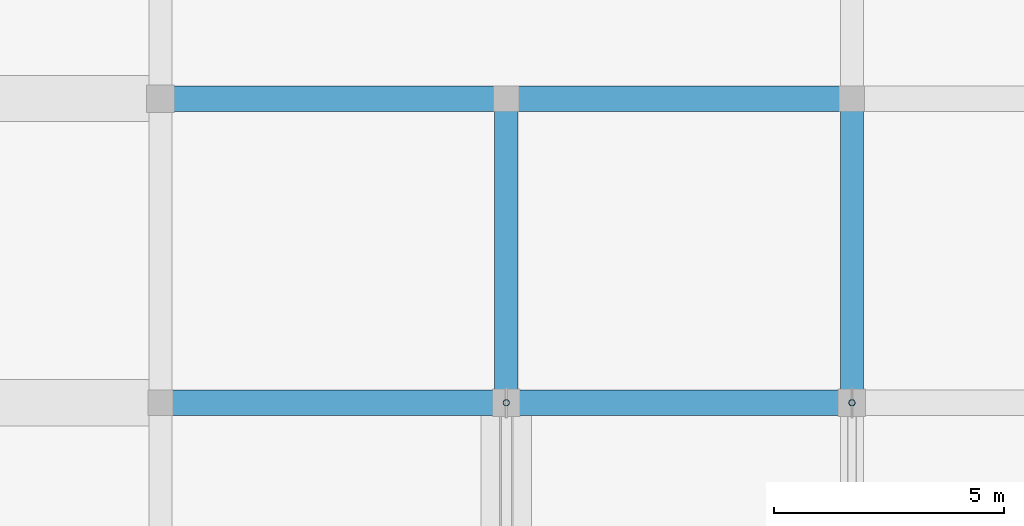
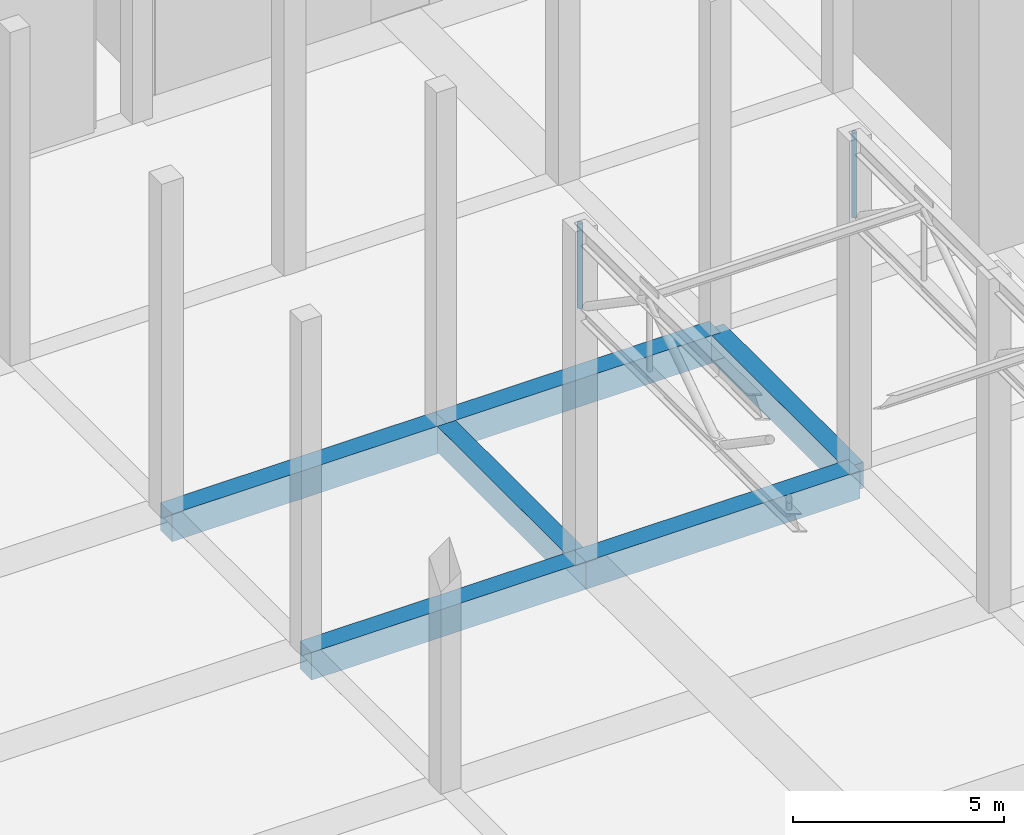
# One storey, part 24 of 80: 6 beams, 2 members.
"""IFC4 building model written with IfcOpenShell, lengths in metres."""

from ifc_helpers import new_model, si_unit, direction, frame, origin, origin_2d, place, context, subcontext, project, spatial, rectangle, hollow_circle, extrude, material, material_profile, profile_set, type_object, element, save


model = new_model("IFC4")

# Units and contexts
model_context = context("Model", 3, precision=1e-05, world=origin(), true_north=direction((0.0, 1.0)))
body_context = subcontext(model_context, "Body", "Model", "MODEL_VIEW")
ifc_project = project(units=[si_unit("LENGTHUNIT", "METRE"), si_unit("AREAUNIT", "SQUARE_METRE"), si_unit("VOLUMEUNIT", "CUBIC_METRE"), si_unit("PLANEANGLEUNIT", "RADIAN"), si_unit("MASSUNIT", "GRAM", prefix="KILO")], contexts=[model_context])

# Site, building, storey
site_placement = place(None, origin())
site = spatial("IfcSite", under=ifc_project, at=site_placement, CompositionType="ELEMENT")
building_placement = place(site_placement, origin())
building = spatial("IfcBuilding", under=site, at=building_placement, Name="Akrevak Sports Hall", CompositionType="ELEMENT")
storey_placement = place(building_placement, frame((0.0, 0.0, 14.0)))
storey = spatial("IfcBuildingStorey", under=building, at=storey_placement, Name="L03", CompositionType="ELEMENT", Elevation=14.0)

# Beams
ifc_material_1 = material(Name="Concrete C40/50", Category="concrete")
ifc_material_profile_1 = material_profile(ifc_material_1, rectangle(XDim=0.5, YDim=0.75, at=origin_2d()), Name="BM 500x750", Category="concrete")
ifc_profile_set_1 = profile_set([ifc_material_profile_1], Name="Concrete C40/50")
beam_type_1 = type_object("IfcBeamType", Name="STR-BM-RC500x750", PredefinedType="BEAM", material=ifc_profile_set_1)
for number, where, z_axis, x_axis, name in (
    (1, (22.5, 48.60009765625, -0.375), (0.0, 1.0, 0.0), (-1.0, 0.0, 0.0), "Girder 4/H-I (L03)"),
    (2, (30.0, 48.60009765625, -0.375), (0.0, 1.0, 0.0), (-1.0, 0.0, 0.0), "Girder 5/H-I (L03)"),
):
    element("IfcBeam", number, at=place(storey_placement, frame(where, z_axis=z_axis, x_axis=x_axis)), inside=storey, type_object=beam_type_1, Name=name, PredefinedType="BEAM", context=body_context, shape_type="SweptSolid", body=[
        extrude(rectangle(XDim=0.5, YDim=0.75, at=origin_2d()), origin(), (0.0, 0.0, 1.0), 6.599853515625),
    ])
ifc_material_profile_2 = material_profile(ifc_material_1, rectangle(XDim=0.550048828125, YDim=0.800048828125, at=origin_2d()), Name="BM 550x800", Category="concrete")
ifc_profile_set_2 = profile_set([ifc_material_profile_2], Name="Concrete C40/50")
beam_type_2 = type_object("IfcBeamType", Name="STR-BM-RC550x800", PredefinedType="BEAM", material=ifc_profile_set_2)
for number, where, z_axis, x_axis, name in (
    (3, (15.0, 48.60009765625, -0.39990234375), (1.0, 0.0, 0.0), (0.0, 1.0, 0.0), "Girder H/3-4 (L03)"),
    (4, (22.5, 48.60009765625, -0.39990234375), (1.0, 0.0, 0.0), (0.0, 1.0, 0.0), "Girder H/4-5 (L03)"),
    (5, (15.0, 55.199951171875, -0.39990234375), (1.0, 0.0, 0.0), (0.0, 1.0, 0.0), "Girder I/3-4 (L03)"),
    (6, (22.5, 55.199951171875, -0.39990234375), (1.0, 0.0, 0.0), (0.0, 1.0, 0.0), "Girder I/4-5 (L03)"),
):
    element("IfcBeam", number, at=place(storey_placement, frame(where, z_axis=z_axis, x_axis=x_axis)), inside=storey, type_object=beam_type_2, Name=name, PredefinedType="BEAM", context=body_context, shape_type="SweptSolid", body=[
        extrude(rectangle(XDim=0.550048828125, YDim=0.800048828125, at=origin_2d()), origin(), (0.0, 0.0, 1.0), 7.5),
    ])

# Members
ifc_material_2 = material(Name="Steel S355", Category="steel")
ifc_material_profile_3 = material_profile(ifc_material_2, hollow_circle(Radius=0.06982421875, WallThickness=0.008056640625, at=origin_2d()), Name="CHS 139.7x8", Category="steel")
ifc_profile_set_3 = profile_set([ifc_material_profile_3], Name="Steel S355")
member_type = type_object("IfcMemberType", Name="STR-MEM-BRACE-CHS139", PredefinedType="BRACE", material=ifc_profile_set_3)
for number, where, z_axis, x_axis, name in (
    (7, (22.5, 48.60009765625, 7.18994140625), (0.0, 0.0, 1.0), (1.0, 0.0, 0.0), "Roof Truss 1 Bearing End Post H"),
    (8, (30.0, 48.60009765625, 7.18994140625), (0.0, 0.0, 1.0), (1.0, 0.0, 0.0), "Roof Truss 2 Bearing End Post H"),
):
    element("IfcMember", number, at=place(storey_placement, frame(where, z_axis=z_axis, x_axis=x_axis)), inside=storey, type_object=member_type, Name=name, PredefinedType="BRACE", context=body_context, shape_type="SweptSolid", body=[
        extrude(hollow_circle(Radius=0.06982421875, WallThickness=0.008056640625, at=origin_2d()), origin(), (0.0, 0.0, 1.0), 2.449951171875),
    ])

save(model, "model.ifc")
